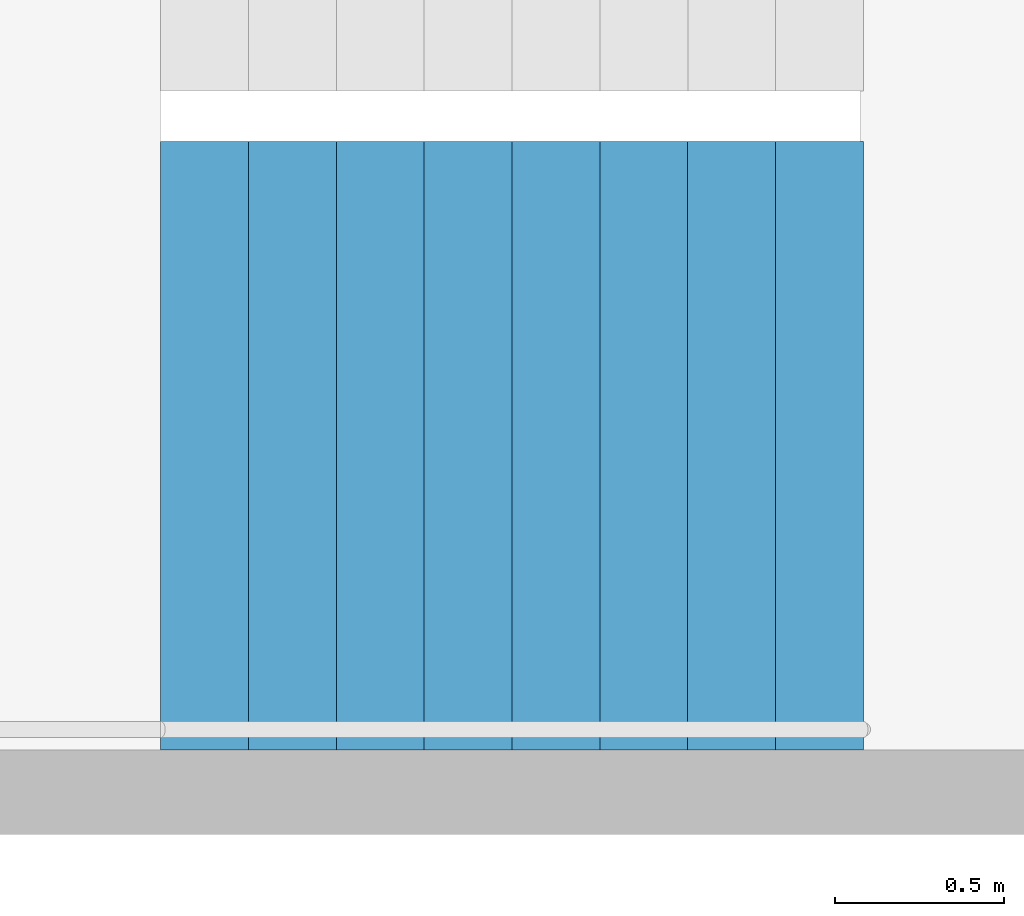
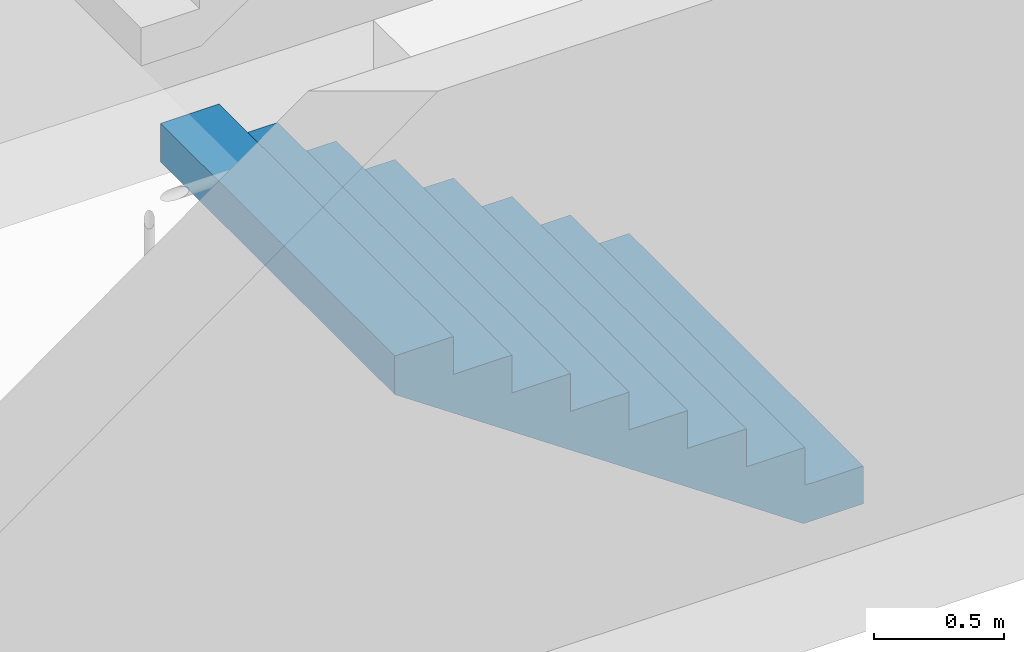
# One storey, part 25 of 33: 1 stair flight, 1 element without a shape of its own.
"""IFC4 building model written with IfcOpenShell, lengths in metres."""

from ifc_helpers import new_model, si_unit, direction, frame, origin, place, context, subcontext, project, spatial, triangles, material, type_object, element, aggregate, save


model = new_model("IFC4")

# Units and contexts
model_context = context("Model", 3, precision=1e-05, world=origin(), true_north=direction((0.0, 1.0)))
body_context = subcontext(model_context, "Body", "Model", "MODEL_VIEW")
ifc_project = project(units=[si_unit("LENGTHUNIT", "METRE"), si_unit("AREAUNIT", "SQUARE_METRE"), si_unit("VOLUMEUNIT", "CUBIC_METRE"), si_unit("PLANEANGLEUNIT", "RADIAN"), si_unit("MASSUNIT", "GRAM", prefix="KILO")], contexts=[model_context])

# Site, building, storey
site_placement = place(None, origin())
site = spatial("IfcSite", under=ifc_project, at=site_placement, CompositionType="ELEMENT")
building_placement = place(site_placement, origin())
building = spatial("IfcBuilding", under=site, at=building_placement, Name="Hakoniwa Tower and Hamabe Station Hall", CompositionType="ELEMENT")
storey_placement = place(building_placement, frame((0.0, 0.0, 81.800048828125)))
storey = spatial("IfcBuildingStorey", under=building, at=storey_placement, Name="L22", CompositionType="ELEMENT", Elevation=81.800048828125)

# Stair, stair flight
ifc_material_1 = material(Name="Concrete C40", Category="concrete")
stair_type = type_object("IfcStairType", Name="ESCAPE STAIR 1800", PredefinedType="HALF_TURN_STAIR", material=ifc_material_1)
stair_placement = place(storey_placement, origin())
stair = element("IfcStair", 1, at=stair_placement, inside=storey, type_object=stair_type, Name="Escape stair ST-3 L22", PredefinedType="HALF_TURN_STAIR")
ifc_material_2 = material(Name="Concrete C40", Category="concrete")
stair_flight_type = type_object("IfcStairFlightType", Name="STAIR FLIGHT 1800", PredefinedType="STRAIGHT", material=ifc_material_2)
stair_flight_placement = place(storey_placement, frame((24.39990234375, 4.64990234375, 0.0), z_axis=(0.0, 0.0, 1.0), x_axis=(-1.0, 0.0, 0.0)))
stair_flight = element("IfcStairFlight", 2, at=stair_flight_placement, type_object=stair_flight_type, Name="ST-3 flight 1", NumberOfRisers=9, NumberOfTreads=8, PredefinedType="STRAIGHT", RiserHeight=0.177777778, TreadLength=0.26, context=body_context, shape_type="Tessellation", body=[
    triangles([(0.0, 0.89990234375, 0.0), (0.260009765625, 0.89990234375, 0.0), (0.265625, 0.89990234375, 0.0), (0.52001953125, 0.89990234375, 0.174072265625), (0.780029296875, 0.89990234375, 0.351806640625), (1.0400390625, 0.89990234375, 0.529541015625), (1.300048828125, 0.89990234375, 0.707275390625), (1.56005859375, 0.89990234375, 0.885009765625), (1.820068359375, 0.89990234375, 1.062744140625), (2.080078125, 0.89990234375, 1.24072265625), (2.080078125, 0.89990234375, 1.422119140625), (1.820068359375, 0.89990234375, 1.422119140625), (1.820068359375, 0.89990234375, 1.244384765625), (1.56005859375, 0.89990234375, 1.244384765625), (1.56005859375, 0.89990234375, 1.066650390625), (1.300048828125, 0.89990234375, 1.066650390625), (1.300048828125, 0.89990234375, 0.888916015625), (1.0400390625, 0.89990234375, 0.888916015625), (1.0400390625, 0.89990234375, 0.711181640625), (0.780029296875, 0.89990234375, 0.711181640625), (0.780029296875, 0.89990234375, 0.533447265625), (0.52001953125, 0.89990234375, 0.533447265625), (0.52001953125, 0.89990234375, 0.35546875), (0.265625, 0.89990234375, 0.35546875), (0.260009765625, 0.89990234375, 0.35546875), (0.260009765625, 0.89990234375, 0.177734375), (0.0, 0.89990234375, 0.177734375), (0.0, 0.06005859375, 0.0), (0.260009765625, 0.06005859375, 0.0), (0.265625, 0.06005859375, 0.0), (0.52001953125, 0.06005859375, 0.174072265625), (0.780029296875, 0.06005859375, 0.351806640625), (1.0400390625, 0.06005859375, 0.529541015625), (1.300048828125, 0.06005859375, 0.707275390625), (1.56005859375, 0.06005859375, 0.885009765625), (1.820068359375, 0.06005859375, 1.062744140625), (2.080078125, 0.06005859375, 1.24072265625), (2.080078125, 0.06005859375, 1.422119140625), (1.820068359375, 0.06005859375, 1.422119140625), (1.820068359375, 0.06005859375, 1.244384765625), (1.56005859375, 0.06005859375, 1.244384765625), (1.56005859375, 0.06005859375, 1.066650390625), (1.300048828125, 0.06005859375, 1.066650390625), (1.300048828125, 0.06005859375, 0.888916015625), (1.0400390625, 0.06005859375, 0.888916015625), (1.0400390625, 0.06005859375, 0.711181640625), (0.780029296875, 0.06005859375, 0.711181640625), (0.780029296875, 0.06005859375, 0.533447265625), (0.52001953125, 0.06005859375, 0.533447265625), (0.52001953125, 0.06005859375, 0.35546875), (0.265625, 0.06005859375, 0.35546875), (0.260009765625, 0.06005859375, 0.35546875), (0.260009765625, 0.06005859375, 0.177734375), (0.0, 0.06005859375, 0.177734375), (0.0, 0.04296875, 0.0), (0.260009765625, 0.04296875, 0.0), (0.265625, 0.04296875, 0.0), (0.52001953125, 0.04296875, 0.174072265625), (0.780029296875, 0.04296875, 0.351806640625), (1.0400390625, 0.04296875, 0.529541015625), (1.300048828125, 0.04296875, 0.707275390625), (1.56005859375, 0.04296875, 0.885009765625), (1.820068359375, 0.04296875, 1.062744140625), (2.080078125, 0.04296875, 1.24072265625), (2.080078125, 0.04296875, 1.422119140625), (1.820068359375, 0.04296875, 1.422119140625), (1.820068359375, 0.04296875, 1.244384765625), (1.56005859375, 0.04296875, 1.244384765625), (1.56005859375, 0.04296875, 1.066650390625), (1.300048828125, 0.04296875, 1.066650390625), (1.300048828125, 0.04296875, 0.888916015625), (1.0400390625, 0.04296875, 0.888916015625), (1.0400390625, 0.04296875, 0.711181640625), (0.780029296875, 0.04296875, 0.711181640625), (0.780029296875, 0.04296875, 0.533447265625), (0.52001953125, 0.04296875, 0.533447265625), (0.52001953125, 0.04296875, 0.35546875), (0.265625, 0.04296875, 0.35546875), (0.260009765625, 0.04296875, 0.35546875), (0.260009765625, 0.04296875, 0.177734375), (0.0, 0.04296875, 0.177734375), (0.0, 0.025634765625, 0.0), (0.260009765625, 0.025634765625, 0.0), (0.265625, 0.025634765625, 0.0), (0.52001953125, 0.025634765625, 0.174072265625), (0.780029296875, 0.025634765625, 0.351806640625), (1.0400390625, 0.025634765625, 0.529541015625), (1.300048828125, 0.025634765625, 0.707275390625), (1.56005859375, 0.025634765625, 0.885009765625), (1.820068359375, 0.025634765625, 1.062744140625), (2.080078125, 0.025634765625, 1.24072265625), (2.080078125, 0.025634765625, 1.422119140625), (1.820068359375, 0.025634765625, 1.422119140625), (1.820068359375, 0.025634765625, 1.244384765625), (1.56005859375, 0.025634765625, 1.244384765625), (1.56005859375, 0.025634765625, 1.066650390625), (1.300048828125, 0.025634765625, 1.066650390625), (1.300048828125, 0.025634765625, 0.888916015625), (1.0400390625, 0.025634765625, 0.888916015625), (1.0400390625, 0.025634765625, 0.711181640625), (0.780029296875, 0.025634765625, 0.711181640625), (0.780029296875, 0.025634765625, 0.533447265625), (0.52001953125, 0.025634765625, 0.533447265625), (0.52001953125, 0.025634765625, 0.35546875), (0.265625, 0.025634765625, 0.35546875), (0.260009765625, 0.025634765625, 0.35546875), (0.260009765625, 0.025634765625, 0.177734375), (0.0, 0.025634765625, 0.177734375), (0.0, 0.008544921875, 0.0), (0.260009765625, 0.008544921875, 0.0), (0.265625, 0.008544921875, 0.0), (0.52001953125, 0.008544921875, 0.174072265625), (0.780029296875, 0.008544921875, 0.351806640625), (1.0400390625, 0.008544921875, 0.529541015625), (1.300048828125, 0.008544921875, 0.707275390625), (1.56005859375, 0.008544921875, 0.885009765625), (1.820068359375, 0.008544921875, 1.062744140625), (2.080078125, 0.008544921875, 1.24072265625), (2.080078125, 0.008544921875, 1.422119140625), (1.820068359375, 0.008544921875, 1.422119140625), (1.820068359375, 0.008544921875, 1.244384765625), (1.56005859375, 0.008544921875, 1.244384765625), (1.56005859375, 0.008544921875, 1.066650390625), (1.300048828125, 0.008544921875, 1.066650390625), (1.300048828125, 0.008544921875, 0.888916015625), (1.0400390625, 0.008544921875, 0.888916015625), (1.0400390625, 0.008544921875, 0.711181640625), (0.780029296875, 0.008544921875, 0.711181640625), (0.780029296875, 0.008544921875, 0.533447265625), (0.52001953125, 0.008544921875, 0.533447265625), (0.52001953125, 0.008544921875, 0.35546875), (0.265625, 0.008544921875, 0.35546875), (0.260009765625, 0.008544921875, 0.35546875), (0.260009765625, 0.008544921875, 0.177734375), (0.0, 0.008544921875, 0.177734375), (0.0, -0.008544921875, 0.0), (0.260009765625, -0.008544921875, 0.0), (0.265625, -0.008544921875, 0.0), (0.52001953125, -0.008544921875, 0.174072265625), (0.780029296875, -0.008544921875, 0.351806640625), (1.0400390625, -0.008544921875, 0.529541015625), (1.300048828125, -0.008544921875, 0.707275390625), (1.56005859375, -0.008544921875, 0.885009765625), (1.820068359375, -0.008544921875, 1.062744140625), (2.080078125, -0.008544921875, 1.24072265625), (2.080078125, -0.008544921875, 1.422119140625), (1.820068359375, -0.008544921875, 1.422119140625), (1.820068359375, -0.008544921875, 1.244384765625), (1.56005859375, -0.008544921875, 1.244384765625), (1.56005859375, -0.008544921875, 1.066650390625), (1.300048828125, -0.008544921875, 1.066650390625), (1.300048828125, -0.008544921875, 0.888916015625), (1.0400390625, -0.008544921875, 0.888916015625), (1.0400390625, -0.008544921875, 0.711181640625), (0.780029296875, -0.008544921875, 0.711181640625), (0.780029296875, -0.008544921875, 0.533447265625), (0.52001953125, -0.008544921875, 0.533447265625), (0.52001953125, -0.008544921875, 0.35546875), (0.265625, -0.008544921875, 0.35546875), (0.260009765625, -0.008544921875, 0.35546875), (0.260009765625, -0.008544921875, 0.177734375), (0.0, -0.008544921875, 0.177734375), (0.0, -0.025634765625, 0.0), (0.260009765625, -0.025634765625, 0.0), (0.265625, -0.025634765625, 0.0), (0.52001953125, -0.025634765625, 0.174072265625), (0.780029296875, -0.025634765625, 0.351806640625), (1.0400390625, -0.025634765625, 0.529541015625), (1.300048828125, -0.025634765625, 0.707275390625), (1.56005859375, -0.025634765625, 0.885009765625), (1.820068359375, -0.025634765625, 1.062744140625), (2.080078125, -0.025634765625, 1.24072265625), (2.080078125, -0.025634765625, 1.422119140625), (1.820068359375, -0.025634765625, 1.422119140625), (1.820068359375, -0.025634765625, 1.244384765625), (1.56005859375, -0.025634765625, 1.244384765625), (1.56005859375, -0.025634765625, 1.066650390625), (1.300048828125, -0.025634765625, 1.066650390625), (1.300048828125, -0.025634765625, 0.888916015625), (1.0400390625, -0.025634765625, 0.888916015625), (1.0400390625, -0.025634765625, 0.711181640625), (0.780029296875, -0.025634765625, 0.711181640625), (0.780029296875, -0.025634765625, 0.533447265625), (0.52001953125, -0.025634765625, 0.533447265625), (0.52001953125, -0.025634765625, 0.35546875), (0.265625, -0.025634765625, 0.35546875), (0.260009765625, -0.025634765625, 0.35546875), (0.260009765625, -0.025634765625, 0.177734375), (0.0, -0.025634765625, 0.177734375), (0.0, -0.04296875, 0.0), (0.260009765625, -0.04296875, 0.0), (0.265625, -0.04296875, 0.0), (0.52001953125, -0.04296875, 0.174072265625), (0.780029296875, -0.04296875, 0.351806640625), (1.0400390625, -0.04296875, 0.529541015625), (1.300048828125, -0.04296875, 0.707275390625), (1.56005859375, -0.04296875, 0.885009765625), (1.820068359375, -0.04296875, 1.062744140625), (2.080078125, -0.04296875, 1.24072265625), (2.080078125, -0.04296875, 1.422119140625), (1.820068359375, -0.04296875, 1.422119140625), (1.820068359375, -0.04296875, 1.244384765625), (1.56005859375, -0.04296875, 1.244384765625), (1.56005859375, -0.04296875, 1.066650390625), (1.300048828125, -0.04296875, 1.066650390625), (1.300048828125, -0.04296875, 0.888916015625), (1.0400390625, -0.04296875, 0.888916015625), (1.0400390625, -0.04296875, 0.711181640625), (0.780029296875, -0.04296875, 0.711181640625), (0.780029296875, -0.04296875, 0.533447265625), (0.52001953125, -0.04296875, 0.533447265625), (0.52001953125, -0.04296875, 0.35546875), (0.265625, -0.04296875, 0.35546875), (0.260009765625, -0.04296875, 0.35546875), (0.260009765625, -0.04296875, 0.177734375), (0.0, -0.04296875, 0.177734375), (0.0, -0.06005859375, 0.0), (0.260009765625, -0.06005859375, 0.0), (0.265625, -0.06005859375, 0.0), (0.52001953125, -0.06005859375, 0.174072265625), (0.780029296875, -0.06005859375, 0.351806640625), (1.0400390625, -0.06005859375, 0.529541015625), (1.300048828125, -0.06005859375, 0.707275390625), (1.56005859375, -0.06005859375, 0.885009765625), (1.820068359375, -0.06005859375, 1.062744140625), (2.080078125, -0.06005859375, 1.24072265625), (2.080078125, -0.06005859375, 1.422119140625), (1.820068359375, -0.06005859375, 1.422119140625), (1.820068359375, -0.06005859375, 1.244384765625), (1.56005859375, -0.06005859375, 1.244384765625), (1.56005859375, -0.06005859375, 1.066650390625), (1.300048828125, -0.06005859375, 1.066650390625), (1.300048828125, -0.06005859375, 0.888916015625), (1.0400390625, -0.06005859375, 0.888916015625), (1.0400390625, -0.06005859375, 0.711181640625), (0.780029296875, -0.06005859375, 0.711181640625), (0.780029296875, -0.06005859375, 0.533447265625), (0.52001953125, -0.06005859375, 0.533447265625), (0.52001953125, -0.06005859375, 0.35546875), (0.265625, -0.06005859375, 0.35546875), (0.260009765625, -0.06005859375, 0.35546875), (0.260009765625, -0.06005859375, 0.177734375), (0.0, -0.06005859375, 0.177734375), (0.0, -0.89990234375, 0.0), (0.260009765625, -0.89990234375, 0.0), (0.265625, -0.89990234375, 0.0), (0.52001953125, -0.89990234375, 0.174072265625), (0.780029296875, -0.89990234375, 0.351806640625), (1.0400390625, -0.89990234375, 0.529541015625), (1.300048828125, -0.89990234375, 0.707275390625), (1.56005859375, -0.89990234375, 0.885009765625), (1.820068359375, -0.89990234375, 1.062744140625), (2.080078125, -0.89990234375, 1.24072265625), (2.080078125, -0.89990234375, 1.422119140625), (1.820068359375, -0.89990234375, 1.422119140625), (1.820068359375, -0.89990234375, 1.244384765625), (1.56005859375, -0.89990234375, 1.244384765625), (1.56005859375, -0.89990234375, 1.066650390625), (1.300048828125, -0.89990234375, 1.066650390625), (1.300048828125, -0.89990234375, 0.888916015625), (1.0400390625, -0.89990234375, 0.888916015625), (1.0400390625, -0.89990234375, 0.711181640625), (0.780029296875, -0.89990234375, 0.711181640625), (0.780029296875, -0.89990234375, 0.533447265625), (0.52001953125, -0.89990234375, 0.533447265625), (0.52001953125, -0.89990234375, 0.35546875), (0.265625, -0.89990234375, 0.35546875), (0.260009765625, -0.89990234375, 0.35546875), (0.260009765625, -0.89990234375, 0.177734375), (0.0, -0.89990234375, 0.177734375)], [[2, 27, 26], [245, 269, 270], [2, 1, 27], [245, 270, 244], [3, 25, 24], [246, 267, 268], [3, 26, 25], [246, 268, 269], [3, 2, 26], [246, 269, 245], [4, 24, 23], [247, 266, 267], [4, 3, 24], [247, 267, 246], [5, 22, 21], [248, 264, 265], [5, 23, 22], [248, 265, 266], [5, 4, 23], [248, 266, 247], [6, 20, 19], [249, 262, 263], [6, 21, 20], [249, 263, 264], [6, 5, 21], [249, 264, 248], [7, 18, 17], [250, 260, 261], [7, 19, 18], [250, 261, 262], [7, 6, 19], [250, 262, 249], [8, 16, 15], [251, 258, 259], [8, 17, 16], [251, 259, 260], [8, 7, 17], [251, 260, 250], [9, 14, 13], [252, 256, 257], [9, 15, 14], [252, 257, 258], [9, 8, 15], [252, 258, 251], [10, 12, 11], [253, 254, 255], [10, 13, 12], [253, 255, 256], [10, 9, 13], [253, 256, 252], [1, 2, 29], [1, 29, 28], [28, 29, 56], [28, 56, 55], [55, 56, 83], [55, 83, 82], [82, 83, 110], [82, 110, 109], [109, 110, 137], [109, 137, 136], [136, 137, 164], [136, 164, 163], [163, 164, 191], [163, 191, 190], [190, 191, 218], [190, 218, 217], [217, 218, 245], [217, 245, 244], [2, 3, 30], [2, 30, 29], [29, 30, 57], [29, 57, 56], [56, 57, 84], [56, 84, 83], [83, 84, 111], [83, 111, 110], [110, 111, 138], [110, 138, 137], [137, 138, 165], [137, 165, 164], [164, 165, 192], [164, 192, 191], [191, 192, 219], [191, 219, 218], [218, 219, 246], [218, 246, 245], [3, 4, 31], [3, 31, 30], [30, 31, 58], [30, 58, 57], [57, 58, 85], [57, 85, 84], [84, 85, 112], [84, 112, 111], [111, 112, 139], [111, 139, 138], [138, 139, 166], [138, 166, 165], [165, 166, 193], [165, 193, 192], [192, 193, 220], [192, 220, 219], [219, 220, 247], [219, 247, 246], [4, 5, 32], [4, 32, 31], [31, 32, 59], [31, 59, 58], [58, 59, 86], [58, 86, 85], [85, 86, 113], [85, 113, 112], [112, 113, 140], [112, 140, 139], [139, 140, 167], [139, 167, 166], [166, 167, 194], [166, 194, 193], [193, 194, 221], [193, 221, 220], [220, 221, 248], [220, 248, 247], [5, 6, 33], [5, 33, 32], [32, 33, 60], [32, 60, 59], [59, 60, 87], [59, 87, 86], [86, 87, 114], [86, 114, 113], [113, 114, 141], [113, 141, 140], [140, 141, 168], [140, 168, 167], [167, 168, 195], [167, 195, 194], [194, 195, 222], [194, 222, 221], [221, 222, 249], [221, 249, 248], [6, 7, 34], [6, 34, 33], [33, 34, 61], [33, 61, 60], [60, 61, 88], [60, 88, 87], [87, 88, 115], [87, 115, 114], [114, 115, 142], [114, 142, 141], [141, 142, 169], [141, 169, 168], [168, 169, 196], [168, 196, 195], [195, 196, 223], [195, 223, 222], [222, 223, 250], [222, 250, 249], [7, 8, 35], [7, 35, 34], [34, 35, 62], [34, 62, 61], [61, 62, 89], [61, 89, 88], [88, 89, 116], [88, 116, 115], [115, 116, 143], [115, 143, 142], [142, 143, 170], [142, 170, 169], [169, 170, 197], [169, 197, 196], [196, 197, 224], [196, 224, 223], [223, 224, 251], [223, 251, 250], [8, 9, 36], [8, 36, 35], [35, 36, 63], [35, 63, 62], [62, 63, 90], [62, 90, 89], [89, 90, 117], [89, 117, 116], [116, 117, 144], [116, 144, 143], [143, 144, 171], [143, 171, 170], [170, 171, 198], [170, 198, 197], [197, 198, 225], [197, 225, 224], [224, 225, 252], [224, 252, 251], [9, 10, 37], [9, 37, 36], [36, 37, 64], [36, 64, 63], [63, 64, 91], [63, 91, 90], [90, 91, 118], [90, 118, 117], [117, 118, 145], [117, 145, 144], [144, 145, 172], [144, 172, 171], [171, 172, 199], [171, 199, 198], [198, 199, 226], [198, 226, 225], [225, 226, 253], [225, 253, 252], [10, 11, 38], [10, 38, 37], [37, 38, 65], [37, 65, 64], [64, 65, 92], [64, 92, 91], [91, 92, 119], [91, 119, 118], [118, 119, 146], [118, 146, 145], [145, 146, 173], [145, 173, 172], [172, 173, 200], [172, 200, 199], [199, 200, 227], [199, 227, 226], [226, 227, 254], [226, 254, 253], [11, 12, 39], [11, 39, 38], [38, 39, 66], [38, 66, 65], [65, 66, 93], [65, 93, 92], [92, 93, 120], [92, 120, 119], [119, 120, 147], [119, 147, 146], [146, 147, 174], [146, 174, 173], [173, 174, 201], [173, 201, 200], [200, 201, 228], [200, 228, 227], [227, 228, 255], [227, 255, 254], [12, 13, 40], [12, 40, 39], [39, 40, 67], [39, 67, 66], [66, 67, 94], [66, 94, 93], [93, 94, 121], [93, 121, 120], [120, 121, 148], [120, 148, 147], [147, 148, 175], [147, 175, 174], [174, 175, 202], [174, 202, 201], [201, 202, 229], [201, 229, 228], [228, 229, 256], [228, 256, 255], [13, 14, 41], [13, 41, 40], [40, 41, 68], [40, 68, 67], [67, 68, 95], [67, 95, 94], [94, 95, 122], [94, 122, 121], [121, 122, 149], [121, 149, 148], [148, 149, 176], [148, 176, 175], [175, 176, 203], [175, 203, 202], [202, 203, 230], [202, 230, 229], [229, 230, 257], [229, 257, 256], [14, 15, 42], [14, 42, 41], [41, 42, 69], [41, 69, 68], [68, 69, 96], [68, 96, 95], [95, 96, 123], [95, 123, 122], [122, 123, 150], [122, 150, 149], [149, 150, 177], [149, 177, 176], [176, 177, 204], [176, 204, 203], [203, 204, 231], [203, 231, 230], [230, 231, 258], [230, 258, 257], [15, 16, 43], [15, 43, 42], [42, 43, 70], [42, 70, 69], [69, 70, 97], [69, 97, 96], [96, 97, 124], [96, 124, 123], [123, 124, 151], [123, 151, 150], [150, 151, 178], [150, 178, 177], [177, 178, 205], [177, 205, 204], [204, 205, 232], [204, 232, 231], [231, 232, 259], [231, 259, 258], [16, 17, 44], [16, 44, 43], [43, 44, 71], [43, 71, 70], [70, 71, 98], [70, 98, 97], [97, 98, 125], [97, 125, 124], [124, 125, 152], [124, 152, 151], [151, 152, 179], [151, 179, 178], [178, 179, 206], [178, 206, 205], [205, 206, 233], [205, 233, 232], [232, 233, 260], [232, 260, 259], [17, 18, 45], [17, 45, 44], [44, 45, 72], [44, 72, 71], [71, 72, 99], [71, 99, 98], [98, 99, 126], [98, 126, 125], [125, 126, 153], [125, 153, 152], [152, 153, 180], [152, 180, 179], [179, 180, 207], [179, 207, 206], [206, 207, 234], [206, 234, 233], [233, 234, 261], [233, 261, 260], [18, 19, 46], [18, 46, 45], [45, 46, 73], [45, 73, 72], [72, 73, 100], [72, 100, 99], [99, 100, 127], [99, 127, 126], [126, 127, 154], [126, 154, 153], [153, 154, 181], [153, 181, 180], [180, 181, 208], [180, 208, 207], [207, 208, 235], [207, 235, 234], [234, 235, 262], [234, 262, 261], [19, 20, 47], [19, 47, 46], [46, 47, 74], [46, 74, 73], [73, 74, 101], [73, 101, 100], [100, 101, 128], [100, 128, 127], [127, 128, 155], [127, 155, 154], [154, 155, 182], [154, 182, 181], [181, 182, 209], [181, 209, 208], [208, 209, 236], [208, 236, 235], [235, 236, 263], [235, 263, 262], [20, 21, 48], [20, 48, 47], [47, 48, 75], [47, 75, 74], [74, 75, 102], [74, 102, 101], [101, 102, 129], [101, 129, 128], [128, 129, 156], [128, 156, 155], [155, 156, 183], [155, 183, 182], [182, 183, 210], [182, 210, 209], [209, 210, 237], [209, 237, 236], [236, 237, 264], [236, 264, 263], [21, 22, 49], [21, 49, 48], [48, 49, 76], [48, 76, 75], [75, 76, 103], [75, 103, 102], [102, 103, 130], [102, 130, 129], [129, 130, 157], [129, 157, 156], [156, 157, 184], [156, 184, 183], [183, 184, 211], [183, 211, 210], [210, 211, 238], [210, 238, 237], [237, 238, 265], [237, 265, 264], [22, 23, 50], [22, 50, 49], [49, 50, 77], [49, 77, 76], [76, 77, 104], [76, 104, 103], [103, 104, 131], [103, 131, 130], [130, 131, 158], [130, 158, 157], [157, 158, 185], [157, 185, 184], [184, 185, 212], [184, 212, 211], [211, 212, 239], [211, 239, 238], [238, 239, 266], [238, 266, 265], [23, 24, 51], [23, 51, 50], [50, 51, 78], [50, 78, 77], [77, 78, 105], [77, 105, 104], [104, 105, 132], [104, 132, 131], [131, 132, 159], [131, 159, 158], [158, 159, 186], [158, 186, 185], [185, 186, 213], [185, 213, 212], [212, 213, 240], [212, 240, 239], [239, 240, 267], [239, 267, 266], [24, 25, 52], [24, 52, 51], [51, 52, 79], [51, 79, 78], [78, 79, 106], [78, 106, 105], [105, 106, 133], [105, 133, 132], [132, 133, 160], [132, 160, 159], [159, 160, 187], [159, 187, 186], [186, 187, 214], [186, 214, 213], [213, 214, 241], [213, 241, 240], [240, 241, 268], [240, 268, 267], [25, 26, 53], [25, 53, 52], [52, 53, 80], [52, 80, 79], [79, 80, 107], [79, 107, 106], [106, 107, 134], [106, 134, 133], [133, 134, 161], [133, 161, 160], [160, 161, 188], [160, 188, 187], [187, 188, 215], [187, 215, 214], [214, 215, 242], [214, 242, 241], [241, 242, 269], [241, 269, 268], [26, 27, 54], [26, 54, 53], [53, 54, 81], [53, 81, 80], [80, 81, 108], [80, 108, 107], [107, 108, 135], [107, 135, 134], [134, 135, 162], [134, 162, 161], [161, 162, 189], [161, 189, 188], [188, 189, 216], [188, 216, 215], [215, 216, 243], [215, 243, 242], [242, 243, 270], [242, 270, 269], [27, 1, 28], [27, 28, 54], [54, 28, 55], [54, 55, 81], [81, 55, 82], [81, 82, 108], [108, 82, 109], [108, 109, 135], [135, 109, 136], [135, 136, 162], [162, 136, 163], [162, 163, 189], [189, 163, 190], [189, 190, 216], [216, 190, 217], [216, 217, 243], [243, 217, 244], [243, 244, 270]], closed=True),
])
aggregate(stair, [stair_flight])

save(model, "model.ifc")
